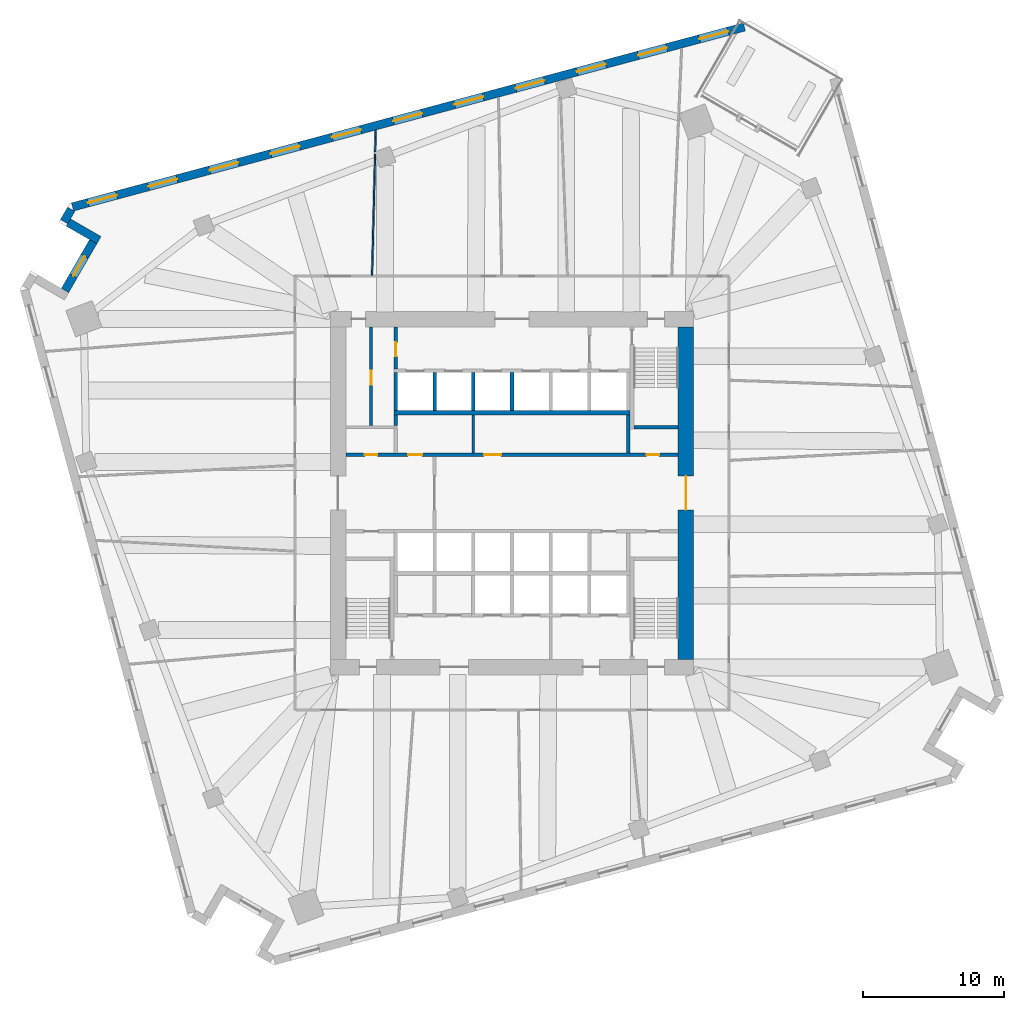
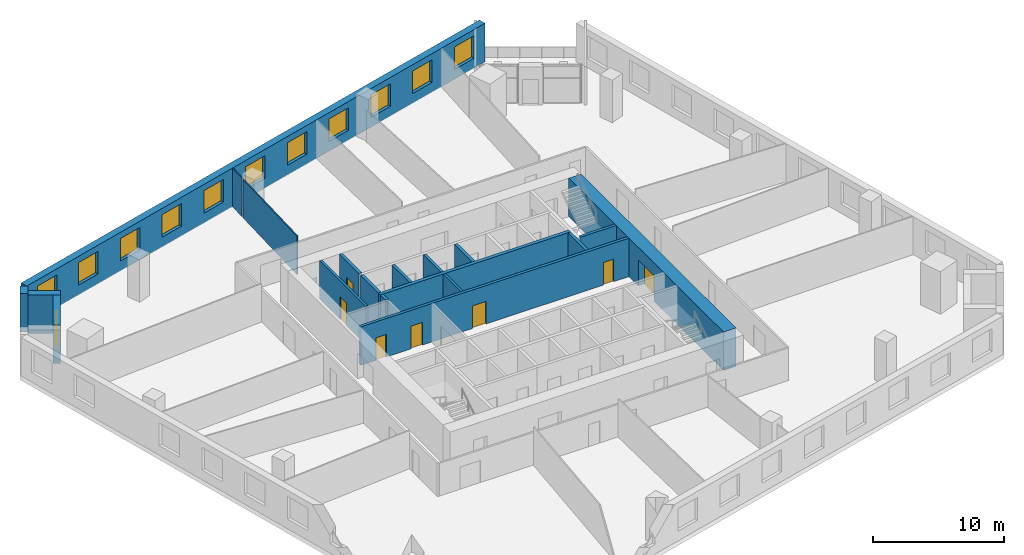
# One storey, part 8 of 13: 19 walls, 12 windows, 7 doors, 19 openings.
"""IFC4 building model written with IfcOpenShell, lengths in metres."""

from ifc_helpers import new_model, si_unit, direction, frame, frame_2d, origin, place, context, subcontext, project, spatial, rectangle, extrude, material, layer, layer_set, type_object, element, fill, save


model = new_model("IFC4")

# Units and contexts
model_context = context("Model", 3, precision=1e-05, world=origin(), true_north=direction((0.0, 1.0)))
body_context = subcontext(model_context, "Body", "Model", "MODEL_VIEW")
ifc_project = project(units=[si_unit("LENGTHUNIT", "METRE"), si_unit("AREAUNIT", "SQUARE_METRE"), si_unit("VOLUMEUNIT", "CUBIC_METRE"), si_unit("PLANEANGLEUNIT", "RADIAN"), si_unit("MASSUNIT", "GRAM", prefix="KILO")], contexts=[model_context])

# Site, building, storey
site_placement = place(None, origin())
site = spatial("IfcSite", under=ifc_project, at=site_placement, CompositionType="ELEMENT")
building_placement = place(site_placement, origin())
building = spatial("IfcBuilding", under=site, at=building_placement, Name="Dilmun Exchange Tower", CompositionType="ELEMENT")
storey_placement = place(building_placement, frame((0.0, 0.0, 86.10009765625)))
storey = spatial("IfcBuildingStorey", under=building, at=storey_placement, Name="L19", CompositionType="ELEMENT", Elevation=86.10009765625)

# Wall
ifc_material_1 = material(Name="Concrete C40/50", Category="concrete")
ifc_layer_1 = layer(ifc_material_1, 0.199951171875)
ifc_layer_set_1 = layer_set([ifc_layer_1], Name="Concrete C40/50")
wall_type_1 = type_object("IfcWallType", Name="Core partition wall 200", PredefinedType="PARTITIONING", material=ifc_layer_set_1)
wall_1_placement = place(storey_placement, frame((-2.75, 2.85498046875, 0.0), z_axis=(0.0, 0.0, 1.0), x_axis=(0.0, 1.0, 0.0)))
element("IfcWall", 1, at=wall_1_placement, inside=storey, type_object=wall_type_1, Name="L19 core partition wall 11", PredefinedType="PARTITIONING", context=body_context, shape_type="SweptSolid", body=[
    extrude(rectangle(XDim=2.68994140625, YDim=0.199951171875, at=frame_2d((1.344970703125, 0.0))), origin(), (0.0, 0.0, 1.0), 3.579833984375),
])

# Wall, opening, door
wall_2_placement = place(storey_placement, frame((-10.0, 4.780029296875, 0.0), z_axis=(0.0, 0.0, 1.0), x_axis=(0.0, 1.0, 0.0)))
wall_2 = element("IfcWall", 2, at=wall_2_placement, inside=storey, type_object=wall_type_1, Name="L19 core partition wall 14", PredefinedType="PARTITIONING", context=body_context, shape_type="SweptSolid", body=[
    extrude(rectangle(XDim=7.014892578125, YDim=0.199951171875, at=frame_2d((3.50732421875, 0.0))), origin(), (0.0, 0.0, 1.0), 3.579833984375),
])
opening_1_placement = place(wall_2_placement, frame((2.919921875, 0.0, 0.0)))
opening_1 = element("IfcOpeningElement", 3, at=opening_1_placement, cuts=wall_2, Name="Opening CD4", PredefinedType="OPENING", context=body_context, shape_type="SweptSolid", body=[
    extrude(rectangle(XDim=1.0, YDim=2.10009765625, at=frame_2d((0.5, 1.050048828125))), frame((0.0, 0.10986328125, 0.0), z_axis=(0.0, -1.0, 0.0), x_axis=(1.0, 0.0, 0.0)), (0.0, 0.0, 1.0), 0.219970703125),
])
ifc_material_2 = material(Name="Fire-rated steel door set", Category="steel")
door_type_1 = type_object("IfcDoorType", Name="Core room door 1000x2100", OperationType="SINGLE_SWING_LEFT", PredefinedType="DOOR", material=ifc_material_2)
door_1_placement = place(opening_1_placement, origin())
door_1 = element("IfcDoor", 4, at=door_1_placement, inside=storey, type_object=door_type_1, Name="L19 door Comms room", OperationType="SINGLE_SWING_RIGHT", OverallHeight=2.10009765625, OverallWidth=1.0, PredefinedType="DOOR", context=body_context, shape_type="SweptSolid", body=[
    extrude(rectangle(XDim=1.0, YDim=2.10009765625, at=frame_2d((0.5, 1.050048828125))), frame((0.0, 0.02490234375, 0.0), z_axis=(0.0, -1.0, 0.0), x_axis=(1.0, 0.0, 0.0)), (0.0, 0.0, 1.0), 0.050048828125),
])
fill(opening_1, door_1)

# Wall, openings, doors
ifc_layer_2 = layer(ifc_material_1, 0.25)
ifc_layer_set_2 = layer_set([ifc_layer_2], Name="Concrete C40/50")
wall_type_2 = type_object("IfcWallType", Name="Core partition wall 250", PredefinedType="PARTITIONING", material=ifc_layer_set_2)
wall_3_placement = place(storey_placement, frame((-11.794921875, 2.72509765625, 0.0), z_axis=(0.0, 0.0, 1.0), x_axis=(1.0, 0.0, 0.0)))
wall_3 = element("IfcWall", 5, at=wall_3_placement, inside=storey, type_object=wall_type_2, Name="L19 core partition wall 09", PredefinedType="PARTITIONING", context=body_context, shape_type="SweptSolid", body=[
    extrude(rectangle(XDim=23.58984375, YDim=0.25, at=frame_2d((11.794921875, 0.0))), origin(), (0.0, 0.0, 1.0), 3.579833984375),
])
opening_2_placement = place(wall_3_placement, frame((21.344970703125, 0.0, 0.0)))
opening_2 = element("IfcOpeningElement", 6, at=opening_2_placement, cuts=wall_3, Name="Opening CD6", PredefinedType="OPENING", context=body_context, shape_type="SweptSolid", body=[
    extrude(rectangle(XDim=0.89990234375, YDim=2.10009765625, at=frame_2d((0.449951171875, 1.050048828125))), frame((0.0, 0.135009765625, 0.0), z_axis=(0.0, -1.0, 0.0), x_axis=(1.0, 0.0, 0.0)), (0.0, 0.0, 1.0), 0.27001953125),
])
opening_3_placement = place(wall_3_placement, frame((1.344970703125, 0.0, 0.0)))
opening_3 = element("IfcOpeningElement", 7, at=opening_3_placement, cuts=wall_3, Name="Opening CD6", PredefinedType="OPENING", context=body_context, shape_type="SweptSolid", body=[
    extrude(rectangle(XDim=0.89990234375, YDim=2.10009765625, at=frame_2d((0.449951171875, 1.050048828125))), frame((0.0, 0.135009765625, 0.0), z_axis=(0.0, -1.0, 0.0), x_axis=(1.0, 0.0, 0.0)), (0.0, 0.0, 1.0), 0.27001953125),
])
opening_4_placement = place(wall_3_placement, frame((4.419921875, 0.0, 0.0)))
opening_4 = element("IfcOpeningElement", 8, at=opening_4_placement, cuts=wall_3, Name="Opening CD4", PredefinedType="OPENING", context=body_context, shape_type="SweptSolid", body=[
    extrude(rectangle(XDim=1.0, YDim=2.10009765625, at=frame_2d((0.5, 1.050048828125))), frame((0.0, 0.135009765625, 0.0), z_axis=(0.0, -1.0, 0.0), x_axis=(1.0, 0.0, 0.0)), (0.0, 0.0, 1.0), 0.27001953125),
])
opening_5_placement = place(wall_3_placement, frame((9.820068359375, 0.0, 0.0)))
opening_5 = element("IfcOpeningElement", 9, at=opening_5_placement, cuts=wall_3, Name="Opening CD3", PredefinedType="OPENING", context=body_context, shape_type="SweptSolid", body=[
    extrude(rectangle(XDim=1.199951171875, YDim=2.10009765625, at=frame_2d((0.60009765625, 1.050048828125))), frame((0.0, 0.135009765625, 0.0), z_axis=(0.0, -1.0, 0.0), x_axis=(1.0, 0.0, 0.0)), (0.0, 0.0, 1.0), 0.27001953125),
])
door_2_placement = place(opening_4_placement, origin())
door_2 = element("IfcDoor", 10, at=door_2_placement, inside=storey, type_object=door_type_1, Name="L19 door Tenant services room", OperationType="SINGLE_SWING_RIGHT", OverallHeight=2.10009765625, OverallWidth=1.0, PredefinedType="DOOR", context=body_context, shape_type="SweptSolid", body=[
    extrude(rectangle(XDim=1.0, YDim=2.10009765625, at=frame_2d((0.5, 1.050048828125))), frame((0.0, 0.02490234375, 0.0), z_axis=(0.0, -1.0, 0.0), x_axis=(1.0, 0.0, 0.0)), (0.0, 0.0, 1.0), 0.050048828125),
])
fill(opening_4, door_2)
door_type_2 = type_object("IfcDoorType", Name="Core room door 900x2100", OperationType="SINGLE_SWING_LEFT", PredefinedType="DOOR", material=ifc_material_2)
door_3_placement = place(opening_2_placement, origin())
door_3 = element("IfcDoor", 11, at=door_3_placement, inside=storey, type_object=door_type_2, Name="L19 door Electrical riser", OperationType="SINGLE_SWING_RIGHT", OverallHeight=2.10009765625, OverallWidth=0.89990234375, PredefinedType="DOOR", context=body_context, shape_type="SweptSolid", body=[
    extrude(rectangle(XDim=0.89990234375, YDim=2.10009765625, at=frame_2d((0.449951171875, 1.050048828125))), frame((0.0, 0.02490234375, 0.0), z_axis=(0.0, -1.0, 0.0), x_axis=(1.0, 0.0, 0.0)), (0.0, 0.0, 1.0), 0.050048828125),
])
fill(opening_2, door_3)
door_4_placement = place(opening_3_placement, origin())
door_4 = element("IfcDoor", 12, at=door_4_placement, inside=storey, type_object=door_type_2, Name="L19 door Plumbing riser", OperationType="SINGLE_SWING_RIGHT", OverallHeight=2.10009765625, OverallWidth=0.89990234375, PredefinedType="DOOR", context=body_context, shape_type="SweptSolid", body=[
    extrude(rectangle(XDim=0.89990234375, YDim=2.10009765625, at=frame_2d((0.449951171875, 1.050048828125))), frame((0.0, 0.02490234375, 0.0), z_axis=(0.0, -1.0, 0.0), x_axis=(1.0, 0.0, 0.0)), (0.0, 0.0, 1.0), 0.050048828125),
])
fill(opening_3, door_4)
door_type_3 = type_object("IfcDoorType", Name="Stair exit door 1200x2100", OperationType="SINGLE_SWING_LEFT", PredefinedType="DOOR", material=ifc_material_2)
door_5_placement = place(opening_5_placement, origin())
door_5 = element("IfcDoor", 13, at=door_5_placement, inside=storey, type_object=door_type_3, Name="L19 door Tenant amenity store", OperationType="SINGLE_SWING_LEFT", OverallHeight=2.10009765625, OverallWidth=1.199951171875, PredefinedType="DOOR", context=body_context, shape_type="SweptSolid", body=[
    extrude(rectangle(XDim=1.199951171875, YDim=2.10009765625, at=frame_2d((0.60009765625, 1.050048828125))), frame((0.0, 0.02490234375, 0.0), z_axis=(0.0, -1.0, 0.0), x_axis=(1.0, 0.0, 0.0)), (0.0, 0.0, 1.0), 0.050048828125),
])
fill(opening_5, door_5)

# Walls
wall_4_placement = place(storey_placement, frame((8.25, 2.85498046875, 0.0), z_axis=(0.0, 0.0, 1.0), x_axis=(0.0, 1.0, 0.0)))
element("IfcWall", 14, at=wall_4_placement, inside=storey, type_object=wall_type_2, Name="L19 core partition wall 12", PredefinedType="PARTITIONING", context=body_context, shape_type="SweptSolid", body=[
    extrude(rectangle(XDim=2.68994140625, YDim=0.25, at=frame_2d((1.344970703125, 0.0))), origin(), (0.0, 0.0, 1.0), 3.579833984375),
])
wall_5_placement = place(storey_placement, frame((-8.25, 4.780029296875, 0.0), z_axis=(0.0, 0.0, 1.0), x_axis=(0.0, 1.0, 0.0)))
element("IfcWall", 15, at=wall_5_placement, inside=storey, type_object=wall_type_2, Name="L19 core partition wall 15", PredefinedType="PARTITIONING", context=body_context, shape_type="SweptSolid", body=[
    extrude(rectangle(XDim=0.764892578125, YDim=0.25, at=frame_2d((0.38232421875, 0.0))), origin(), (0.0, 0.0, 1.0), 3.579833984375),
])

# Wall, opening, door
wall_6_placement = place(storey_placement, frame((-8.25, 8.804931640625, 0.0), z_axis=(0.0, 0.0, 1.0), x_axis=(0.0, 1.0, 0.0)))
wall_6 = element("IfcWall", 16, at=wall_6_placement, inside=storey, type_object=wall_type_2, Name="L19 core partition wall 16", PredefinedType="PARTITIONING", context=body_context, shape_type="SweptSolid", body=[
    extrude(rectangle(XDim=2.989990234375, YDim=0.25, at=frame_2d((1.4951171875, 0.0))), origin(), (0.0, 0.0, 1.0), 3.579833984375),
])
opening_6_placement = place(wall_6_placement, frame((0.89501953125, 0.0, 0.0)))
opening_6 = element("IfcOpeningElement", 17, at=opening_6_placement, cuts=wall_6, Name="Opening CD4", PredefinedType="OPENING", context=body_context, shape_type="SweptSolid", body=[
    extrude(rectangle(XDim=1.0, YDim=2.10009765625, at=frame_2d((0.5, 1.050048828125))), frame((0.0, 0.135009765625, 0.0), z_axis=(0.0, -1.0, 0.0), x_axis=(1.0, 0.0, 0.0)), (0.0, 0.0, 1.0), 0.27001953125),
])
door_6_placement = place(opening_6_placement, origin())
door_6 = element("IfcDoor", 18, at=door_6_placement, inside=storey, type_object=door_type_1, Name="L19 door Security room", OperationType="SINGLE_SWING_RIGHT", OverallHeight=2.10009765625, OverallWidth=1.0, PredefinedType="DOOR", context=body_context, shape_type="SweptSolid", body=[
    extrude(rectangle(XDim=1.0, YDim=2.10009765625, at=frame_2d((0.5, 1.050048828125))), frame((0.0, 0.02490234375, 0.0), z_axis=(0.0, -1.0, 0.0), x_axis=(1.0, 0.0, 0.0)), (0.0, 0.0, 1.0), 0.050048828125),
])
fill(opening_6, door_6)

ifc_material_3 = material(Name="Concrete C80/95", Category="concrete")
ifc_layer_3 = layer(ifc_material_3, 1.10009765625)
ifc_layer_set_3 = layer_set([ifc_layer_3], Name="Concrete C80/95")
wall_type_3 = type_object("IfcWallType", Name="Core shear wall 1100 Concrete C80/95", PredefinedType="SHEAR", material=ifc_layer_set_3)
wall_7_placement = place(storey_placement, frame((12.35009765625, -11.800048828125, 0.0), z_axis=(0.0, 0.0, 1.0), x_axis=(0.0, 1.0, 0.0)))
wall_7 = element("IfcWall", 19, at=wall_7_placement, inside=storey, type_object=wall_type_3, Name="L19 core shear wall E", PredefinedType="SHEAR", context=body_context, shape_type="SweptSolid", body=[
    extrude(rectangle(XDim=23.60009765625, YDim=1.10009765625, at=frame_2d((11.800048828125, 0.0))), origin(), (0.0, 0.0, 1.0), 3.579833984375),
])
opening_7_placement = place(wall_7_placement, frame((10.60009765625, 0.0, 0.0)))
opening_7 = element("IfcOpeningElement", 20, at=opening_7_placement, cuts=wall_7, Name="Opening CD1", PredefinedType="OPENING", context=body_context, shape_type="SweptSolid", body=[
    extrude(rectangle(XDim=2.39990234375, YDim=2.39990234375, at=frame_2d((1.199951171875, 1.199951171875))), frame((0.0, 0.56005859375, 0.0), z_axis=(0.0, -1.0, 0.0), x_axis=(1.0, 0.0, 0.0)), (0.0, 0.0, 1.0), 1.1201171875),
])
door_type_4 = type_object("IfcDoorType", Name="Core lobby door 2400x2400", OperationType="DOUBLE_DOOR_DOUBLE_SWING", PredefinedType="DOOR", material=ifc_material_2)
door_7_placement = place(opening_7_placement, origin())
door_7 = element("IfcDoor", 21, at=door_7_placement, inside=storey, type_object=door_type_4, Name="L19 door Central lift lobby", OperationType="SINGLE_SWING_LEFT", OverallHeight=2.39990234375, OverallWidth=2.39990234375, PredefinedType="DOOR", context=body_context, shape_type="SweptSolid", body=[
    extrude(rectangle(XDim=2.39990234375, YDim=2.39990234375, at=frame_2d((1.199951171875, 1.199951171875))), frame((0.0, 0.02490234375, 0.0), z_axis=(0.0, -1.0, 0.0), x_axis=(1.0, 0.0, 0.0)), (0.0, 0.0, 1.0), 0.050048828125),
])
fill(opening_7, door_7)

# Walls
ifc_layer_4 = layer(ifc_material_1, 0.300048828125)
ifc_layer_set_4 = layer_set([ifc_layer_4], Name="Concrete C40/50")
wall_type_4 = type_object("IfcWallType", Name="Lift shaft shared wall 300", PredefinedType="SOLIDWALL", material=ifc_layer_set_4)
wall_8_placement = place(storey_placement, frame((-8.375, 5.699951171875, 0.0), z_axis=(0.0, 0.0, 1.0), x_axis=(1.0, 0.0, 0.0)))
element("IfcWall", 22, at=wall_8_placement, inside=storey, type_object=wall_type_4, Name="L19 lift shaft rear wall N", PredefinedType="SOLIDWALL", context=body_context, shape_type="SweptSolid", body=[
    extrude(rectangle(XDim=16.75, YDim=0.300048828125, at=frame_2d((8.375, 0.0))), origin(), (0.0, 0.0, 1.0), 3.579833984375),
])
ifc_layer_5 = layer(ifc_material_1, 0.25)
ifc_layer_set_5 = layer_set([ifc_layer_5], Name="Concrete C40/50")
wall_type_5 = type_object("IfcWallType", Name="Lift shaft wall 250", PredefinedType="SOLIDWALL", material=ifc_layer_set_5)
for number, where, z_axis, x_axis, name in (
    (23, (-8.25, 5.85009765625, 0.0), (0.0, 0.0, 1.0), (0.0, 1.0, 0.0), "L19 lift shaft divider N20"),
    (24, (-5.5, 5.85009765625, 0.0), (0.0, 0.0, 1.0), (0.0, 1.0, 0.0), "L19 lift shaft divider N21"),
    (25, (-2.75, 5.85009765625, 0.0), (0.0, 0.0, 1.0), (0.0, 1.0, 0.0), "L19 lift shaft divider N22"),
    (26, (0.0, 5.85009765625, 0.0), (0.0, 0.0, 1.0), (0.0, 1.0, 0.0), "L19 lift shaft divider N23"),
):
    element("IfcWall", number, at=place(storey_placement, frame(where, z_axis=z_axis, x_axis=x_axis)), inside=storey, type_object=wall_type_5, Name=name, PredefinedType="SOLIDWALL", context=body_context, shape_type="SweptSolid", body=[
        extrude(rectangle(XDim=2.699951171875, YDim=0.25, at=frame_2d((1.35009765625, 0.0))), origin(), (0.0, 0.0, 1.0), 3.579833984375),
    ])
ifc_material_4 = material(Name="Partition 100")
ifc_layer_6 = layer(ifc_material_4, 0.10009765625)
ifc_layer_set_6 = layer_set([ifc_layer_6], Name="Partition 100")
wall_type_6 = type_object("IfcWallType", Name="Partition 100", PredefinedType="PARTITIONING", material=ifc_layer_set_6)
wall_9_placement = place(storey_placement, frame((-9.93505859375, 15.476318359375, 0.0), z_axis=(0.0, 0.0, 1.0), x_axis=(0.024996463825, 0.999687539582, 0.0)))
element("IfcWall", 27, at=wall_9_placement, inside=storey, type_object=wall_type_6, Name="Partition", PredefinedType="PARTITIONING", context=body_context, shape_type="SweptSolid", body=[
    extrude(rectangle(XDim=8.565673828125, YDim=0.10009765625, at=frame_2d((4.28271484375, 0.0))), origin(), (0.0, 0.0, 1.0), 3.579833984375),
])
wall_10_placement = place(storey_placement, frame((-9.71630859375, 24.2294921875, 0.0), z_axis=(0.0, 0.0, 1.0), x_axis=(0.025011966744, 0.999687151823, 0.0)))
element("IfcWall", 28, at=wall_10_placement, inside=storey, type_object=wall_type_6, Name="Partition", PredefinedType="PARTITIONING", context=body_context, shape_type="SweptSolid", body=[
    extrude(rectangle(XDim=1.542236328125, YDim=0.10009765625, at=frame_2d((0.77099609375, 0.0))), origin(), (0.0, 0.0, 1.0), 3.579833984375),
])

# Wall, openings, windows
ifc_material_5 = material(Name="Precast concrete C50/60", Category="concrete")
ifc_layer_7 = layer(ifc_material_5, 0.60009765625)
ifc_layer_set_7 = layer_set([ifc_layer_7], Name="Precast concrete C50/60")
wall_type_7 = type_object("IfcWallType", Name="Precast stone-clad wall 600", PredefinedType="STANDARD", material=ifc_layer_set_7)
wall_11_placement = place(storey_placement, frame((16.495849609375, 33.09716796875, 0.0), z_axis=(0.0, 0.0, 1.0), x_axis=(-0.965926333894, -0.258817150689, 0.0)))
wall_11 = element("IfcWall", 29, at=wall_11_placement, inside=storey, type_object=wall_type_7, Name="Facade wall L19-03", PredefinedType="STANDARD", context=body_context, shape_type="SweptSolid", body=[
    extrude(rectangle(XDim=49.375732421875, YDim=0.60009765625, at=frame_2d((24.68798828125, 0.0))), origin(), (0.0, 0.0, 1.0), 3.579833984375),
])
opening_8_placement = place(wall_11_placement, frame((1.199951171875, 0.0, 0.89990234375)))
opening_8 = element("IfcOpeningElement", 30, at=opening_8_placement, cuts=wall_11, Name="Opening W210-210", PredefinedType="OPENING", context=body_context, shape_type="SweptSolid", body=[
    extrude(rectangle(XDim=2.10009765625, YDim=2.10009765625, at=frame_2d((1.050048828125, 1.050048828125))), frame((0.0, 0.31005859375, 0.0), z_axis=(0.0, -1.0, 0.0), x_axis=(1.0, 0.0, 0.0)), (0.0, 0.0, 1.0), 0.6201171875),
])
opening_9_placement = place(wall_11_placement, frame((5.699951171875, 0.0, 0.89990234375)))
opening_9 = element("IfcOpeningElement", 31, at=opening_9_placement, cuts=wall_11, Name="Opening W210-210", PredefinedType="OPENING", context=body_context, shape_type="SweptSolid", body=[
    extrude(rectangle(XDim=2.10009765625, YDim=2.10009765625, at=frame_2d((1.050048828125, 1.050048828125))), frame((0.0, 0.31005859375, 0.0), z_axis=(0.0, -1.0, 0.0), x_axis=(1.0, 0.0, 0.0)), (0.0, 0.0, 1.0), 0.6201171875),
])
opening_10_placement = place(wall_11_placement, frame((10.199951171875, 0.0, 0.89990234375)))
opening_10 = element("IfcOpeningElement", 32, at=opening_10_placement, cuts=wall_11, Name="Opening W210-210", PredefinedType="OPENING", context=body_context, shape_type="SweptSolid", body=[
    extrude(rectangle(XDim=2.10009765625, YDim=2.10009765625, at=frame_2d((1.050048828125, 1.050048828125))), frame((0.0, 0.31005859375, 0.0), z_axis=(0.0, -1.0, 0.0), x_axis=(1.0, 0.0, 0.0)), (0.0, 0.0, 1.0), 0.6201171875),
])
opening_11_placement = place(wall_11_placement, frame((14.699951171875, 0.0, 0.89990234375)))
opening_11 = element("IfcOpeningElement", 33, at=opening_11_placement, cuts=wall_11, Name="Opening W210-210", PredefinedType="OPENING", context=body_context, shape_type="SweptSolid", body=[
    extrude(rectangle(XDim=2.10009765625, YDim=2.10009765625, at=frame_2d((1.050048828125, 1.050048828125))), frame((0.0, 0.31005859375, 0.0), z_axis=(0.0, -1.0, 0.0), x_axis=(1.0, 0.0, 0.0)), (0.0, 0.0, 1.0), 0.6201171875),
])
opening_12_placement = place(wall_11_placement, frame((19.199951171875, 0.0, 0.89990234375)))
opening_12 = element("IfcOpeningElement", 34, at=opening_12_placement, cuts=wall_11, Name="Opening W210-210", PredefinedType="OPENING", context=body_context, shape_type="SweptSolid", body=[
    extrude(rectangle(XDim=2.10009765625, YDim=2.10009765625, at=frame_2d((1.050048828125, 1.050048828125))), frame((0.0, 0.31005859375, 0.0), z_axis=(0.0, -1.0, 0.0), x_axis=(1.0, 0.0, 0.0)), (0.0, 0.0, 1.0), 0.6201171875),
])
opening_13_placement = place(wall_11_placement, frame((23.699951171875, 0.0, 0.89990234375)))
opening_13 = element("IfcOpeningElement", 35, at=opening_13_placement, cuts=wall_11, Name="Opening W210-210", PredefinedType="OPENING", context=body_context, shape_type="SweptSolid", body=[
    extrude(rectangle(XDim=2.10009765625, YDim=2.10009765625, at=frame_2d((1.050048828125, 1.050048828125))), frame((0.0, 0.31005859375, 0.0), z_axis=(0.0, -1.0, 0.0), x_axis=(1.0, 0.0, 0.0)), (0.0, 0.0, 1.0), 0.6201171875),
])
opening_14_placement = place(wall_11_placement, frame((28.199951171875, 0.0, 0.89990234375)))
opening_14 = element("IfcOpeningElement", 36, at=opening_14_placement, cuts=wall_11, Name="Opening W210-210", PredefinedType="OPENING", context=body_context, shape_type="SweptSolid", body=[
    extrude(rectangle(XDim=2.10009765625, YDim=2.10009765625, at=frame_2d((1.050048828125, 1.050048828125))), frame((0.0, 0.31005859375, 0.0), z_axis=(0.0, -1.0, 0.0), x_axis=(1.0, 0.0, 0.0)), (0.0, 0.0, 1.0), 0.6201171875),
])
opening_15_placement = place(wall_11_placement, frame((32.699951171875, 0.0, 0.89990234375)))
opening_15 = element("IfcOpeningElement", 37, at=opening_15_placement, cuts=wall_11, Name="Opening W210-210", PredefinedType="OPENING", context=body_context, shape_type="SweptSolid", body=[
    extrude(rectangle(XDim=2.10009765625, YDim=2.10009765625, at=frame_2d((1.050048828125, 1.050048828125))), frame((0.0, 0.31005859375, 0.0), z_axis=(0.0, -1.0, 0.0), x_axis=(1.0, 0.0, 0.0)), (0.0, 0.0, 1.0), 0.6201171875),
])
opening_16_placement = place(wall_11_placement, frame((37.199951171875, 0.0, 0.89990234375)))
opening_16 = element("IfcOpeningElement", 38, at=opening_16_placement, cuts=wall_11, Name="Opening W210-210", PredefinedType="OPENING", context=body_context, shape_type="SweptSolid", body=[
    extrude(rectangle(XDim=2.10009765625, YDim=2.10009765625, at=frame_2d((1.050048828125, 1.050048828125))), frame((0.0, 0.31005859375, 0.0), z_axis=(0.0, -1.0, 0.0), x_axis=(1.0, 0.0, 0.0)), (0.0, 0.0, 1.0), 0.6201171875),
])
opening_17_placement = place(wall_11_placement, frame((41.699951171875, 0.0, 0.89990234375)))
opening_17 = element("IfcOpeningElement", 39, at=opening_17_placement, cuts=wall_11, Name="Opening W210-210", PredefinedType="OPENING", context=body_context, shape_type="SweptSolid", body=[
    extrude(rectangle(XDim=2.10009765625, YDim=2.10009765625, at=frame_2d((1.050048828125, 1.050048828125))), frame((0.0, 0.31005859375, 0.0), z_axis=(0.0, -1.0, 0.0), x_axis=(1.0, 0.0, 0.0)), (0.0, 0.0, 1.0), 0.6201171875),
])
opening_18_placement = place(wall_11_placement, frame((46.137939453125, 0.0, 0.89990234375)))
opening_18 = element("IfcOpeningElement", 40, at=opening_18_placement, cuts=wall_11, Name="Opening W210-210", PredefinedType="OPENING", context=body_context, shape_type="SweptSolid", body=[
    extrude(rectangle(XDim=2.10009765625, YDim=2.10009765625, at=frame_2d((1.050048828125, 1.050048828125))), frame((0.0, 0.31005859375, 0.0), z_axis=(0.0, -1.0, 0.0), x_axis=(1.0, 0.0, 0.0)), (0.0, 0.0, 1.0), 0.6201171875),
])
ifc_material_6 = material(Name="Clear low-emissivity glass in aluminium frame", Category="aluminium")
window_type_1 = type_object("IfcWindowType", Name="Punched window 2100 x 2100", PartitioningType="DOUBLE_PANEL_VERTICAL", PredefinedType="WINDOW", material=ifc_material_6)
window_1_placement = place(opening_8_placement, origin())
window_1 = element("IfcWindow", 41, at=window_1_placement, inside=storey, type_object=window_type_1, Name="Window 4.1", OverallHeight=2.10009765625, OverallWidth=2.10009765625, PartitioningType="SINGLE_PANEL", PredefinedType="WINDOW", context=body_context, shape_type="SweptSolid", body=[
    extrude(rectangle(XDim=2.10009765625, YDim=2.10009765625, at=frame_2d((1.050048828125, 1.050048828125))), frame((0.0, 0.030029296875, 0.0), z_axis=(0.0, -1.0, 0.0), x_axis=(1.0, 0.0, 0.0)), (0.0, 0.0, 1.0), 0.06005859375),
])
fill(opening_8, window_1)
window_2_placement = place(opening_9_placement, origin())
window_2 = element("IfcWindow", 42, at=window_2_placement, inside=storey, type_object=window_type_1, Name="Window 4.2", OverallHeight=2.10009765625, OverallWidth=2.10009765625, PartitioningType="SINGLE_PANEL", PredefinedType="WINDOW", context=body_context, shape_type="SweptSolid", body=[
    extrude(rectangle(XDim=2.10009765625, YDim=2.10009765625, at=frame_2d((1.050048828125, 1.050048828125))), frame((0.0, 0.030029296875, 0.0), z_axis=(0.0, -1.0, 0.0), x_axis=(1.0, 0.0, 0.0)), (0.0, 0.0, 1.0), 0.06005859375),
])
fill(opening_9, window_2)
window_3_placement = place(opening_10_placement, origin())
window_3 = element("IfcWindow", 43, at=window_3_placement, inside=storey, type_object=window_type_1, Name="Window 4.3", OverallHeight=2.10009765625, OverallWidth=2.10009765625, PartitioningType="SINGLE_PANEL", PredefinedType="WINDOW", context=body_context, shape_type="SweptSolid", body=[
    extrude(rectangle(XDim=2.10009765625, YDim=2.10009765625, at=frame_2d((1.050048828125, 1.050048828125))), frame((0.0, 0.030029296875, 0.0), z_axis=(0.0, -1.0, 0.0), x_axis=(1.0, 0.0, 0.0)), (0.0, 0.0, 1.0), 0.06005859375),
])
fill(opening_10, window_3)
window_4_placement = place(opening_11_placement, origin())
window_4 = element("IfcWindow", 44, at=window_4_placement, inside=storey, type_object=window_type_1, Name="Window 4.4", OverallHeight=2.10009765625, OverallWidth=2.10009765625, PartitioningType="SINGLE_PANEL", PredefinedType="WINDOW", context=body_context, shape_type="SweptSolid", body=[
    extrude(rectangle(XDim=2.10009765625, YDim=2.10009765625, at=frame_2d((1.050048828125, 1.050048828125))), frame((0.0, 0.030029296875, 0.0), z_axis=(0.0, -1.0, 0.0), x_axis=(1.0, 0.0, 0.0)), (0.0, 0.0, 1.0), 0.06005859375),
])
fill(opening_11, window_4)
window_5_placement = place(opening_12_placement, origin())
window_5 = element("IfcWindow", 45, at=window_5_placement, inside=storey, type_object=window_type_1, Name="Window 4.5", OverallHeight=2.10009765625, OverallWidth=2.10009765625, PartitioningType="SINGLE_PANEL", PredefinedType="WINDOW", context=body_context, shape_type="SweptSolid", body=[
    extrude(rectangle(XDim=2.10009765625, YDim=2.10009765625, at=frame_2d((1.050048828125, 1.050048828125))), frame((0.0, 0.030029296875, 0.0), z_axis=(0.0, -1.0, 0.0), x_axis=(1.0, 0.0, 0.0)), (0.0, 0.0, 1.0), 0.06005859375),
])
fill(opening_12, window_5)
window_6_placement = place(opening_13_placement, origin())
window_6 = element("IfcWindow", 46, at=window_6_placement, inside=storey, type_object=window_type_1, Name="Window 4.6", OverallHeight=2.10009765625, OverallWidth=2.10009765625, PartitioningType="SINGLE_PANEL", PredefinedType="WINDOW", context=body_context, shape_type="SweptSolid", body=[
    extrude(rectangle(XDim=2.10009765625, YDim=2.10009765625, at=frame_2d((1.050048828125, 1.050048828125))), frame((0.0, 0.030029296875, 0.0), z_axis=(0.0, -1.0, 0.0), x_axis=(1.0, 0.0, 0.0)), (0.0, 0.0, 1.0), 0.06005859375),
])
fill(opening_13, window_6)
window_7_placement = place(opening_14_placement, origin())
window_7 = element("IfcWindow", 47, at=window_7_placement, inside=storey, type_object=window_type_1, Name="Window 4.7", OverallHeight=2.10009765625, OverallWidth=2.10009765625, PartitioningType="SINGLE_PANEL", PredefinedType="WINDOW", context=body_context, shape_type="SweptSolid", body=[
    extrude(rectangle(XDim=2.10009765625, YDim=2.10009765625, at=frame_2d((1.050048828125, 1.050048828125))), frame((0.0, 0.030029296875, 0.0), z_axis=(0.0, -1.0, 0.0), x_axis=(1.0, 0.0, 0.0)), (0.0, 0.0, 1.0), 0.06005859375),
])
fill(opening_14, window_7)
window_8_placement = place(opening_15_placement, origin())
window_8 = element("IfcWindow", 48, at=window_8_placement, inside=storey, type_object=window_type_1, Name="Window 4.8", OverallHeight=2.10009765625, OverallWidth=2.10009765625, PartitioningType="SINGLE_PANEL", PredefinedType="WINDOW", context=body_context, shape_type="SweptSolid", body=[
    extrude(rectangle(XDim=2.10009765625, YDim=2.10009765625, at=frame_2d((1.050048828125, 1.050048828125))), frame((0.0, 0.030029296875, 0.0), z_axis=(0.0, -1.0, 0.0), x_axis=(1.0, 0.0, 0.0)), (0.0, 0.0, 1.0), 0.06005859375),
])
fill(opening_15, window_8)
window_9_placement = place(opening_16_placement, origin())
window_9 = element("IfcWindow", 49, at=window_9_placement, inside=storey, type_object=window_type_1, Name="Window 4.9", OverallHeight=2.10009765625, OverallWidth=2.10009765625, PartitioningType="SINGLE_PANEL", PredefinedType="WINDOW", context=body_context, shape_type="SweptSolid", body=[
    extrude(rectangle(XDim=2.10009765625, YDim=2.10009765625, at=frame_2d((1.050048828125, 1.050048828125))), frame((0.0, 0.030029296875, 0.0), z_axis=(0.0, -1.0, 0.0), x_axis=(1.0, 0.0, 0.0)), (0.0, 0.0, 1.0), 0.06005859375),
])
fill(opening_16, window_9)
window_10_placement = place(opening_17_placement, origin())
window_10 = element("IfcWindow", 50, at=window_10_placement, inside=storey, type_object=window_type_1, Name="Window 4.10", OverallHeight=2.10009765625, OverallWidth=2.10009765625, PartitioningType="SINGLE_PANEL", PredefinedType="WINDOW", context=body_context, shape_type="SweptSolid", body=[
    extrude(rectangle(XDim=2.10009765625, YDim=2.10009765625, at=frame_2d((1.050048828125, 1.050048828125))), frame((0.0, 0.030029296875, 0.0), z_axis=(0.0, -1.0, 0.0), x_axis=(1.0, 0.0, 0.0)), (0.0, 0.0, 1.0), 0.06005859375),
])
fill(opening_17, window_10)
window_11_placement = place(opening_18_placement, origin())
window_11 = element("IfcWindow", 51, at=window_11_placement, inside=storey, type_object=window_type_1, Name="Window 4.11", OverallHeight=2.10009765625, OverallWidth=2.10009765625, PartitioningType="SINGLE_PANEL", PredefinedType="WINDOW", context=body_context, shape_type="SweptSolid", body=[
    extrude(rectangle(XDim=2.10009765625, YDim=2.10009765625, at=frame_2d((1.050048828125, 1.050048828125))), frame((0.0, 0.030029296875, 0.0), z_axis=(0.0, -1.0, 0.0), x_axis=(1.0, 0.0, 0.0)), (0.0, 0.0, 1.0), 0.06005859375),
])
fill(opening_18, window_11)

# Walls
wall_12_placement = place(storey_placement, frame((-31.29736328125, 20.14453125, 0.0), z_axis=(0.0, 0.0, 1.0), x_axis=(-0.500008073096, -0.86602074273, 0.0)))
element("IfcWall", 52, at=wall_12_placement, inside=storey, type_object=wall_type_7, Name="Facade wall L19-04", PredefinedType="STANDARD", context=body_context, shape_type="SweptSolid", body=[
    extrude(rectangle(XDim=1.01123046875, YDim=0.60009765625, at=frame_2d((0.505615234375, 0.0))), origin(), (0.0, 0.0, 1.0), 3.579833984375),
])
wall_13_placement = place(storey_placement, frame((-31.4931640625, 19.205322265625, 0.0), z_axis=(0.0, 0.0, 1.0), x_axis=(0.866022959057, -0.500004234368, 0.0)))
element("IfcWall", 53, at=wall_13_placement, inside=storey, type_object=wall_type_7, Name="Facade wall L19-05", PredefinedType="STANDARD", context=body_context, shape_type="SweptSolid", body=[
    extrude(rectangle(XDim=2.5, YDim=0.60009765625, at=frame_2d((1.25, 0.0))), origin(), (0.0, 0.0, 1.0), 3.579833984375),
])

# Wall, opening, window
wall_14_placement = place(storey_placement, frame((-29.738037109375, 17.845703125, 0.0), z_axis=(0.0, 0.0, 1.0), x_axis=(-0.49999894854, -0.866026010844, 0.0)))
wall_14 = element("IfcWall", 54, at=wall_14_placement, inside=storey, type_object=wall_type_7, Name="Facade wall L19-06", PredefinedType="STANDARD", context=body_context, shape_type="SweptSolid", body=[
    extrude(rectangle(XDim=4.0, YDim=0.60009765625, at=frame_2d((2.0, 0.0))), origin(), (0.0, 0.0, 1.0), 3.579833984375),
])
opening_19_placement = place(wall_14_placement, frame((1.199951171875, 0.0, 0.89990234375)))
opening_19 = element("IfcOpeningElement", 55, at=opening_19_placement, cuts=wall_14, Name="Opening W160-210", PredefinedType="OPENING", context=body_context, shape_type="SweptSolid", body=[
    extrude(rectangle(XDim=1.60009765625, YDim=2.10009765625, at=frame_2d((0.800048828125, 1.050048828125))), frame((0.0, 0.31005859375, 0.0), z_axis=(0.0, -1.0, 0.0), x_axis=(1.0, 0.0, 0.0)), (0.0, 0.0, 1.0), 0.6201171875),
])
window_type_2 = type_object("IfcWindowType", Name="Punched window 1600 x 2100", PartitioningType="DOUBLE_PANEL_VERTICAL", PredefinedType="WINDOW", material=ifc_material_6)
window_12_placement = place(opening_19_placement, origin())
window_12 = element("IfcWindow", 56, at=window_12_placement, inside=storey, type_object=window_type_2, Name="Window 7.1", OverallHeight=2.10009765625, OverallWidth=1.60009765625, PartitioningType="SINGLE_PANEL", PredefinedType="WINDOW", context=body_context, shape_type="SweptSolid", body=[
    extrude(rectangle(XDim=1.60009765625, YDim=2.10009765625, at=frame_2d((0.800048828125, 1.050048828125))), frame((0.0, 0.030029296875, 0.0), z_axis=(0.0, -1.0, 0.0), x_axis=(1.0, 0.0, 0.0)), (0.0, 0.0, 1.0), 0.06005859375),
])
fill(opening_19, window_12)

# Wall
ifc_layer_8 = layer(ifc_material_1, 0.25)
ifc_layer_set_8 = layer_set([ifc_layer_8], Name="Concrete C40/50")
wall_type_8 = type_object("IfcWallType", Name="Stair end wall 250", PredefinedType="SOLIDWALL", material=ifc_layer_set_8)
wall_15_placement = place(storey_placement, frame((8.64990234375, 4.675048828125, 0.0), z_axis=(0.0, 0.0, 1.0), x_axis=(1.0, 0.0, 0.0)))
element("IfcWall", 57, at=wall_15_placement, inside=storey, type_object=wall_type_8, Name="L19 ST1 far wall", PredefinedType="SOLIDWALL", context=body_context, shape_type="SweptSolid", body=[
    extrude(rectangle(XDim=3.150146484375, YDim=0.25, at=frame_2d((1.5751953125, 0.0))), origin(), (0.0, 0.0, 1.0), 3.579833984375),
])

save(model, "model.ifc")
